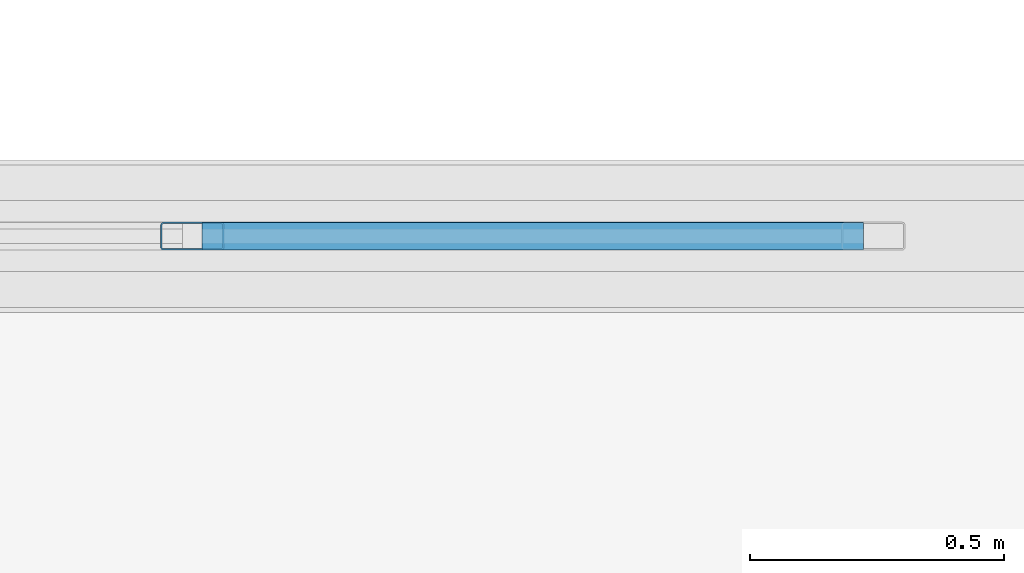
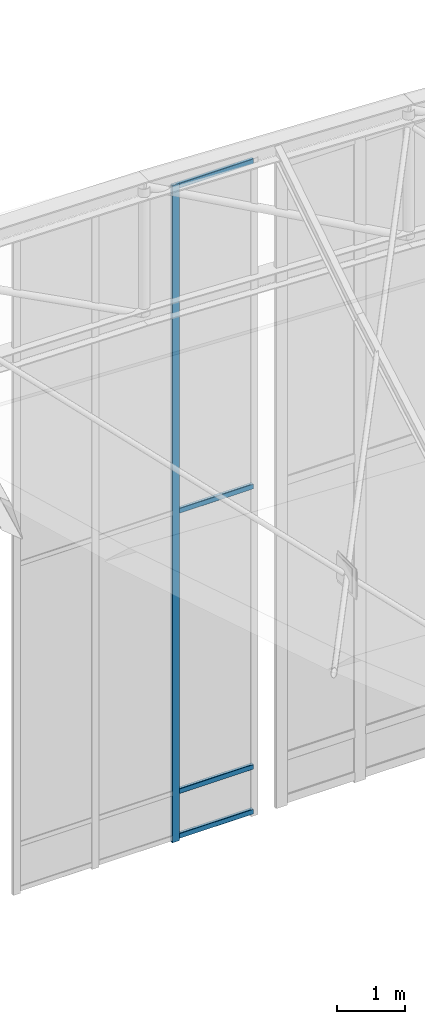
# One storey, part 196 of 262: 5 members, 1 element without a shape of its own.
"""IFC4 building model written with IfcOpenShell, lengths in metres."""

from ifc_helpers import new_model, si_unit, derived_unit, direction, frame, origin, origin_2d, place, context, subcontext, project, spatial, hollow_rectangle, extrude, material, layer, layer_set, material_profile, profile_set, type_object, element, aggregate, save


model = new_model("IFC4")

# Units and contexts
model_context = context("Model", 3, precision=1e-05, world=origin(), true_north=direction((0.0, 1.0)))
body_context = subcontext(model_context, "Body", "Model", "MODEL_VIEW")
ifc_project = project(units=[si_unit("LENGTHUNIT", "METRE"), si_unit("AREAUNIT", "SQUARE_METRE"), si_unit("VOLUMEUNIT", "CUBIC_METRE"), si_unit("PLANEANGLEUNIT", "RADIAN"), si_unit("MASSUNIT", "GRAM", prefix="KILO"), derived_unit("THERMALTRANSMITTANCEUNIT", [(si_unit("POWERUNIT", "WATT"), 1), (si_unit("LENGTHUNIT", "METRE"), -2), (si_unit("THERMODYNAMICTEMPERATUREUNIT", "KELVIN"), -1)])], contexts=[model_context])

# Site, building, storey
site_placement = place(None, origin())
site = spatial("IfcSite", under=ifc_project, at=site_placement, CompositionType="ELEMENT")
building_placement = place(site_placement, origin())
building = spatial("IfcBuilding", under=site, at=building_placement, Name="Almenara Railside Exhibition Hall", CompositionType="ELEMENT")
storey_placement = place(building_placement, frame((0.0, 0.0, 21.699951171875)))
storey = spatial("IfcBuildingStorey", under=building, at=storey_placement, Name="RF", CompositionType="ELEMENT", Elevation=21.699951171875)

# Curtain wall, members
ifc_material_1 = material(Name="Bronze-anodised aluminium and low-E double glazing", Category="aluminium")
ifc_layer = layer(ifc_material_1, 0.179931640625, Name="Bronze-anodised aluminium and low-E double glazing")
ifc_layer_set = layer_set([ifc_layer], Name="Bronze-anodised aluminium and low-E double glazing")
curtain_wall_type = type_object("IfcCurtainWallType", Name="Scroll Gable Tall Curtain Wall 3800x5400", PredefinedType="NOTDEFINED", material=ifc_layer_set)
curtain_wall_placement = place(storey_placement, origin())
curtain_wall = element("IfcCurtainWall", 1, at=curtain_wall_placement, inside=storey, type_object=curtain_wall_type, Name="Curtain wall CW-G1-211", PredefinedType="NOTDEFINED")
ifc_material_2 = material(Name="Bronze-anodised aluminium", Category="aluminium")
ifc_material_profile_1 = material_profile(ifc_material_2, hollow_rectangle(XDim=0.054931640625, YDim=0.125, WallThickness=0.0029296875, InnerFilletRadius=0.0029296875, OuterFilletRadius=0.006103515625, at=origin_2d()), Name="ALU-MUL 55x125x3")
ifc_profile_set_1 = profile_set([ifc_material_profile_1], Name="Bronze-anodised aluminium")
member_type_1 = type_object("IfcMemberType", Name="Curtain Wall Mullion 55x125x3", PredefinedType="MULLION", material=ifc_profile_set_1)
member_1_placement = place(storey_placement, frame((44.033447265625, 132.0, -0.93505859375), z_axis=(0.0, 0.0, 1.0), x_axis=(0.0, 1.0, 0.0)))
member_1 = element("IfcMember", 2, at=member_1_placement, type_object=member_type_1, Name="CW-G1-211 mullion 3", PredefinedType="MULLION", context=body_context, shape_type="SweptSolid", body=[
    extrude(hollow_rectangle(XDim=0.054931640625, YDim=0.125, WallThickness=0.0029296875, InnerFilletRadius=0.0029296875, OuterFilletRadius=0.006103515625, at=origin_2d()), origin(), (0.0, 0.0, 1.0), 11.8251953125),
])
ifc_material_profile_2 = material_profile(ifc_material_2, hollow_rectangle(XDim=0.054931640625, YDim=0.090087890625, WallThickness=0.0029296875, InnerFilletRadius=0.0029296875, OuterFilletRadius=0.006103515625, at=origin_2d()), Name="ALU-TRN 55x90x3")
ifc_profile_set_2 = profile_set([ifc_material_profile_2], Name="Bronze-anodised aluminium")
member_type_2 = type_object("IfcMemberType", Name="Curtain Wall Transom 55x90x3", PredefinedType="USERDEFINED", material=ifc_profile_set_2)
member_2_placement = place(storey_placement, frame((44.052734375, 132.0, -0.85498046875), z_axis=(1.0, 0.0, 0.0), x_axis=(0.0, 1.0, 0.0)))
member_2 = element("IfcMember", 3, at=member_2_placement, type_object=member_type_2, Name="CW-G1-211 transom 3.1", ObjectType="TRANSOM", PredefinedType="USERDEFINED", context=body_context, shape_type="SweptSolid", body=[
    extrude(hollow_rectangle(XDim=0.054931640625, YDim=0.090087890625, WallThickness=0.0029296875, InnerFilletRadius=0.0029296875, OuterFilletRadius=0.006103515625, at=origin_2d()), origin(), (0.0, 0.0, 1.0), 1.30029296875),
])
member_3_placement = place(storey_placement, frame((44.052734375, 132.0, -0.050048828125), z_axis=(1.0, 0.0, 0.0), x_axis=(0.0, 1.0, 0.0)))
member_3 = element("IfcMember", 4, at=member_3_placement, type_object=member_type_2, Name="CW-G1-211 transom 3.2", ObjectType="TRANSOM", PredefinedType="USERDEFINED", context=body_context, shape_type="SweptSolid", body=[
    extrude(hollow_rectangle(XDim=0.054931640625, YDim=0.090087890625, WallThickness=0.0029296875, InnerFilletRadius=0.0029296875, OuterFilletRadius=0.006103515625, at=origin_2d()), origin(), (0.0, 0.0, 1.0), 1.30029296875),
])
member_4_placement = place(storey_placement, frame((44.052734375, 132.0, 4.9951171875), z_axis=(1.0, 0.0, 0.0), x_axis=(0.0, 1.0, 0.0)))
member_4 = element("IfcMember", 5, at=member_4_placement, type_object=member_type_2, Name="CW-G1-211 transom 3.3", ObjectType="TRANSOM", PredefinedType="USERDEFINED", context=body_context, shape_type="SweptSolid", body=[
    extrude(hollow_rectangle(XDim=0.054931640625, YDim=0.090087890625, WallThickness=0.0029296875, InnerFilletRadius=0.0029296875, OuterFilletRadius=0.006103515625, at=origin_2d()), origin(), (0.0, 0.0, 1.0), 1.30029296875),
])
member_5_placement = place(storey_placement, frame((44.052734375, 132.0, 10.844970703125), z_axis=(1.0, 0.0, 0.0), x_axis=(0.0, 1.0, 0.0)))
member_5 = element("IfcMember", 6, at=member_5_placement, type_object=member_type_2, Name="CW-G1-211 transom 3.4", ObjectType="TRANSOM", PredefinedType="USERDEFINED", context=body_context, shape_type="SweptSolid", body=[
    extrude(hollow_rectangle(XDim=0.054931640625, YDim=0.090087890625, WallThickness=0.0029296875, InnerFilletRadius=0.0029296875, OuterFilletRadius=0.006103515625, at=origin_2d()), origin(), (0.0, 0.0, 1.0), 1.30029296875),
])
aggregate(curtain_wall, [member_1, member_2, member_3, member_4, member_5])

save(model, "model.ifc")
